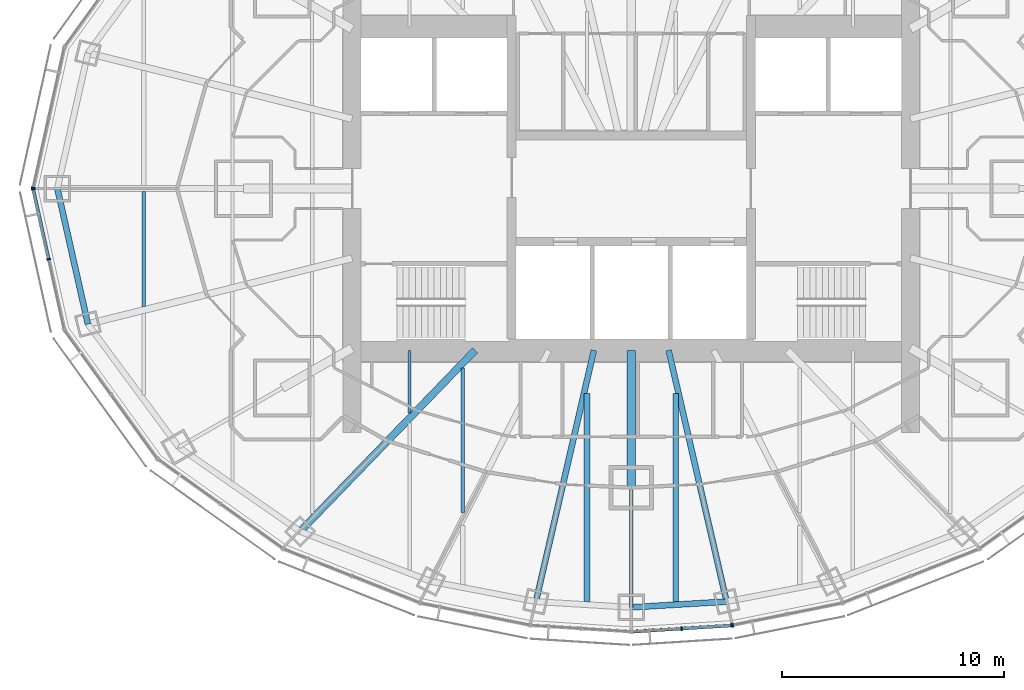
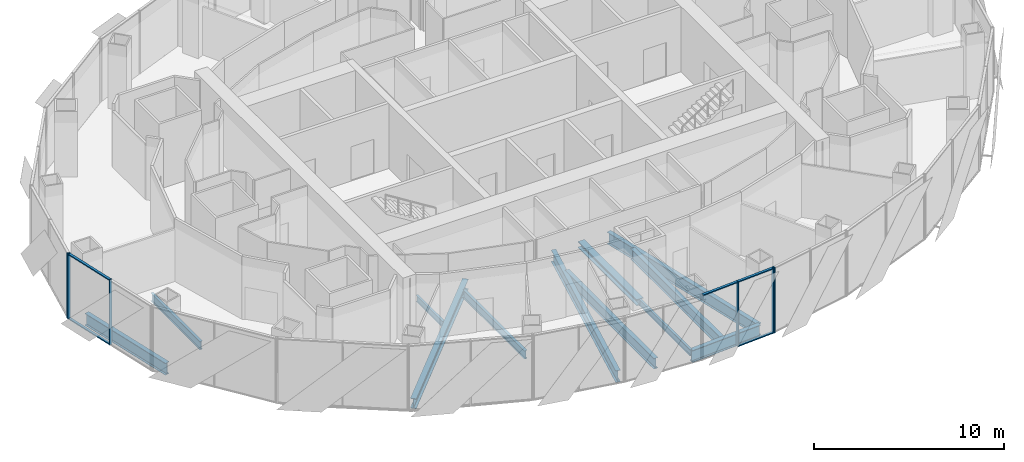
# One storey, part 3 of 18: 12 beams, 11 members, 4 elements without a shape of their own.
"""IFC4 building model written with IfcOpenShell, lengths in metres."""

from ifc_helpers import new_model, si_unit, direction, frame, origin, origin_2d, place, context, subcontext, project, spatial, rectangle, i_section, extrude, material, material_profile, profile_set, type_object, element, aggregate, save


model = new_model("IFC4")

# Units and contexts
model_context = context("Model", 3, precision=1e-05, world=origin(), true_north=direction((0.0, 1.0)))
body_context = subcontext(model_context, "Body", "Model", "MODEL_VIEW")
ifc_project = project(units=[si_unit("LENGTHUNIT", "METRE"), si_unit("AREAUNIT", "SQUARE_METRE"), si_unit("VOLUMEUNIT", "CUBIC_METRE"), si_unit("PLANEANGLEUNIT", "RADIAN"), si_unit("MASSUNIT", "GRAM", prefix="KILO")], contexts=[model_context])

# Site, building, storey
site_placement = place(None, origin())
site = spatial("IfcSite", under=ifc_project, at=site_placement, CompositionType="ELEMENT")
building_placement = place(site_placement, origin())
building = spatial("IfcBuilding", under=site, at=building_placement, Name="Lantaw Convention Tower", CompositionType="ELEMENT")
storey_placement = place(building_placement, frame((0.0, 0.0, 241.0)))
storey = spatial("IfcBuildingStorey", under=building, at=storey_placement, Name="L56", CompositionType="ELEMENT", Elevation=241.0)

# Beams
ifc_material_1 = material(Name="Steel ASTM A992", Category="steel")
ifc_material_profile_1 = material_profile(ifc_material_1, i_section(OverallWidth=0.2666015625, OverallDepth=0.76953125, WebThickness=0.015625, FlangeThickness=0.025390625, FilletRadius=0.0126953125, at=origin_2d()), Name="W30X132")
ifc_profile_set_1 = profile_set([ifc_material_profile_1], Name="Steel ASTM A992")
beam_type_1 = type_object("IfcBeamType", Name="Beam E W30X132", PredefinedType="SPANDREL", material=ifc_profile_set_1)
beam_1_placement = place(storey_placement, frame((-25.89990234375, 0.0, -0.534912109375), z_axis=(0.219857926596, -0.97553190215, 0.0), x_axis=(0.97553190215, 0.219857926596, 0.0)))
element("IfcBeam", 1, at=beam_1_placement, inside=storey, type_object=beam_type_1, Name="Edge beam 13", PredefinedType="SPANDREL", context=body_context, shape_type="SweptSolid", body=[
    extrude(i_section(OverallWidth=0.2666015625, OverallDepth=0.76953125, WebThickness=0.015625, FlangeThickness=0.025390625, FilletRadius=0.0126953125, at=origin_2d()), origin(), (0.0, 0.0, 1.0), 6.267333984375),
])
beam_2_placement = place(storey_placement, frame((0.0, -18.89990234375, -0.534912109375), z_axis=(0.998210730897, 0.059794119452, 0.0), x_axis=(-0.059794119452, 0.998210730897, 0.0)))
element("IfcBeam", 2, at=beam_2_placement, inside=storey, type_object=beam_type_1, Name="Edge beam 19", PredefinedType="SPANDREL", context=body_context, shape_type="SweptSolid", body=[
    extrude(i_section(OverallWidth=0.2666015625, OverallDepth=0.76953125, WebThickness=0.015625, FlangeThickness=0.025390625, FilletRadius=0.0126953125, at=origin_2d()), origin(), (0.0, 0.0, 1.0), 4.311767578125),
])
ifc_material_profile_2 = material_profile(ifc_material_1, i_section(OverallWidth=0.140380859375, OverallDepth=0.40380859375, WebThickness=0.007080078125, FlangeThickness=0.01123046875, FilletRadius=0.01025390625, at=origin_2d()), Name="W16X31")
ifc_profile_set_2 = profile_set([ifc_material_profile_2], Name="Steel ASTM A992")
beam_type_2 = type_object("IfcBeamType", Name="Beam G W16X31", PredefinedType="BEAM", material=ifc_profile_set_2)
beam_3_placement = place(storey_placement, frame((0.0, -13.5, -0.35205078125), z_axis=(0.0, -1.0, 0.0), x_axis=(1.0, 0.0, 0.0)))
element("IfcBeam", 3, at=beam_3_placement, inside=storey, type_object=beam_type_2, Name="Floor girder on ray 19", PredefinedType="BEAM", context=body_context, shape_type="SweptSolid", body=[
    extrude(i_section(OverallWidth=0.140380859375, OverallDepth=0.40380859375, WebThickness=0.007080078125, FlangeThickness=0.01123046875, FilletRadius=0.01025390625, at=origin_2d()), origin(), (0.0, 0.0, 1.0), 5.39990234375),
])
ifc_material_profile_3 = material_profile(ifc_material_1, i_section(OverallWidth=0.32763671875, OverallDepth=0.64013671875, WebThickness=0.01904296875, FlangeThickness=0.033935546875, FilletRadius=0.0126953125, at=origin_2d()), Name="W24X176")
ifc_profile_set_3 = profile_set([ifc_material_profile_3], Name="Steel ASTM A992")
beam_type_3 = type_object("IfcBeamType", Name="Beam G W24X176", PredefinedType="BEAM", material=ifc_profile_set_3)
beam_4_placement = place(storey_placement, frame((-7.049560546875, -7.300048828125, -0.469970703125), z_axis=(-0.694657766726, -0.719340383356, 0.0), x_axis=(0.719340383356, -0.694657766726, 0.0)))
element("IfcBeam", 4, at=beam_4_placement, inside=storey, type_object=beam_type_3, Name="Floor girder on ray 16", PredefinedType="BEAM", context=body_context, shape_type="SweptSolid", body=[
    extrude(i_section(OverallWidth=0.32763671875, OverallDepth=0.64013671875, WebThickness=0.01904296875, FlangeThickness=0.033935546875, FilletRadius=0.0126953125, at=origin_2d()), origin(), (0.0, 0.0, 1.0), 11.364990234375),
])
ifc_material_profile_4 = material_profile(ifc_material_1, i_section(OverallWidth=0.2666015625, OverallDepth=0.7568359375, WebThickness=0.013916015625, FlangeThickness=0.019287109375, FilletRadius=0.0126953125, at=origin_2d()), Name="W30X108")
ifc_profile_set_4 = profile_set([ifc_material_profile_4], Name="Steel ASTM A992")
beam_type_4 = type_object("IfcBeamType", Name="Beam G W30X108", PredefinedType="BEAM", material=ifc_profile_set_4)
for number, where, z_axis, x_axis, name in (
    (5, (-1.685302734375, -7.300048828125, -0.528564453125), (-0.224962134377, -0.974367506692, 0.0), (0.974367506692, -0.224962134377, 0.0), "Floor girder on ray 18"),
    (6, (1.685302734375, -7.300048828125, -0.528564453125), (0.224962134377, -0.974367506692, 0.0), (0.974367506692, 0.224962134377, 0.0), "Floor girder on ray 20"),
):
    element("IfcBeam", number, at=place(storey_placement, frame(where, z_axis=z_axis, x_axis=x_axis)), inside=storey, type_object=beam_type_4, Name=name, PredefinedType="BEAM", context=body_context, shape_type="SweptSolid", body=[
        extrude(i_section(OverallWidth=0.2666015625, OverallDepth=0.7568359375, WebThickness=0.013916015625, FlangeThickness=0.019287109375, FilletRadius=0.0126953125, at=origin_2d()), origin(), (0.0, 0.0, 1.0), 11.640380859375),
    ])
ifc_material_profile_5 = material_profile(ifc_material_1, i_section(OverallWidth=0.40380859375, OverallDepth=0.406494140625, WebThickness=0.027099609375, FlangeThickness=0.043701171875, FilletRadius=0.01513671875, at=origin_2d()), Name="W14X233")
ifc_profile_set_5 = profile_set([ifc_material_profile_5], Name="Steel ASTM A992")
beam_type_5 = type_object("IfcBeamType", Name="Beam GM W14X233", PredefinedType="BEAM", material=ifc_profile_set_5)
beam_5_placement = place(storey_placement, frame((0.0, -7.300048828125, -0.353271484375), z_axis=(0.0, -1.0, 0.0), x_axis=(1.0, 0.0, 0.0)))
element("IfcBeam", 7, at=beam_5_placement, inside=storey, type_object=beam_type_5, Name="Core link beam on ray 19", PredefinedType="BEAM", context=body_context, shape_type="SweptSolid", body=[
    extrude(i_section(OverallWidth=0.40380859375, OverallDepth=0.406494140625, WebThickness=0.027099609375, FlangeThickness=0.043701171875, FilletRadius=0.01513671875, at=origin_2d()), origin(), (0.0, 0.0, 1.0), 6.199951171875),
])
ifc_material_profile_6 = material_profile(ifc_material_1, i_section(OverallWidth=0.140380859375, OverallDepth=0.40380859375, WebThickness=0.007080078125, FlangeThickness=0.01123046875, FilletRadius=0.01025390625, at=origin_2d()), Name="W16X31")
ifc_profile_set_6 = profile_set([ifc_material_profile_6], Name="Steel ASTM A992")
beam_type_6 = type_object("IfcBeamType", Name="Beam J W16X31", PredefinedType="JOIST", material=ifc_profile_set_6)
beam_6_placement = place(storey_placement, frame((-10.0, -10.119384765625, -0.35205078125), z_axis=(0.0, 1.0, 0.0), x_axis=(-1.0, 0.0, 0.0)))
element("IfcBeam", 8, at=beam_6_placement, inside=storey, type_object=beam_type_6, Name="Floor joist", PredefinedType="JOIST", context=body_context, shape_type="SweptSolid", body=[
    extrude(i_section(OverallWidth=0.140380859375, OverallDepth=0.40380859375, WebThickness=0.007080078125, FlangeThickness=0.01123046875, FilletRadius=0.01025390625, at=origin_2d()), origin(), (0.0, 0.0, 1.0), 2.8193359375),
])
ifc_material_profile_7 = material_profile(ifc_material_1, i_section(OverallWidth=0.1650390625, OverallDepth=0.52587890625, WebThickness=0.0087890625, FlangeThickness=0.011474609375, FilletRadius=0.0126953125, at=origin_2d()), Name="W21X44")
ifc_profile_set_7 = profile_set([ifc_material_profile_7], Name="Steel ASTM A992")
beam_type_7 = type_object("IfcBeamType", Name="Beam J W21X44", PredefinedType="JOIST", material=ifc_profile_set_7)
beam_7_placement = place(storey_placement, frame((-22.0, -5.326904296875, -0.412841796875), z_axis=(0.0, 1.0, 0.0), x_axis=(-1.0, 0.0, 0.0)))
element("IfcBeam", 9, at=beam_7_placement, inside=storey, type_object=beam_type_7, Name="Floor joist", PredefinedType="JOIST", context=body_context, shape_type="SweptSolid", body=[
    extrude(i_section(OverallWidth=0.1650390625, OverallDepth=0.52587890625, WebThickness=0.0087890625, FlangeThickness=0.011474609375, FilletRadius=0.0126953125, at=origin_2d()), origin(), (0.0, 0.0, 1.0), 5.199951171875),
])
beam_8_placement = place(storey_placement, frame((-7.60009765625, -14.6220703125, -0.412841796875), z_axis=(0.0, 1.0, 0.0), x_axis=(-1.0, 0.0, 0.0)))
element("IfcBeam", 10, at=beam_8_placement, inside=storey, type_object=beam_type_7, Name="Floor joist", PredefinedType="JOIST", context=body_context, shape_type="SweptSolid", body=[
    extrude(i_section(OverallWidth=0.1650390625, OverallDepth=0.52587890625, WebThickness=0.0087890625, FlangeThickness=0.011474609375, FilletRadius=0.0126953125, at=origin_2d()), origin(), (0.0, 0.0, 1.0), 6.51611328125),
])
ifc_material_profile_8 = material_profile(ifc_material_1, i_section(OverallWidth=0.25390625, OverallDepth=0.683349609375, WebThickness=0.012451171875, FlangeThickness=0.01904296875, FilletRadius=0.01513671875, at=origin_2d()), Name="W27X94")
ifc_profile_set_8 = profile_set([ifc_material_profile_8], Name="Steel ASTM A992")
beam_type_8 = type_object("IfcBeamType", Name="Beam J W27X94", PredefinedType="JOIST", material=ifc_profile_set_8)
for number, where, z_axis, x_axis, name in (
    (11, (-2.0, -18.646484375, -0.49169921875), (0.0, 1.0, 0.0), (-1.0, 0.0, 0.0), "Floor joist"),
    (12, (2.0, -18.646484375, -0.49169921875), (0.0, 1.0, 0.0), (-1.0, 0.0, 0.0), "Floor joist"),
):
    element("IfcBeam", number, at=place(storey_placement, frame(where, z_axis=z_axis, x_axis=x_axis)), inside=storey, type_object=beam_type_8, Name=name, PredefinedType="JOIST", context=body_context, shape_type="SweptSolid", body=[
        extrude(i_section(OverallWidth=0.25390625, OverallDepth=0.683349609375, WebThickness=0.012451171875, FlangeThickness=0.01904296875, FilletRadius=0.01513671875, at=origin_2d()), origin(), (0.0, 0.0, 1.0), 9.390625),
    ])

# Curtain wall, member
ifc_material_2 = material(Name="Aluminium framed curtain wall", Category="aluminium")
curtain_wall_type = type_object("IfcCurtainWallType", Name="Office curtain wall high rise, pale aluminium", PredefinedType="USERDEFINED", material=ifc_material_2)
curtain_wall_1_placement = place(storey_placement, origin())
curtain_wall_1 = element("IfcCurtainWall", 13, at=curtain_wall_1_placement, inside=storey, type_object=curtain_wall_type, Name="Office curtain wall high rise, pale aluminium L56", ObjectType="UNITISED CURTAIN WALL", PredefinedType="USERDEFINED")
ifc_material_3 = material(Name="Aluminium 6063-T6", Category="aluminium")
ifc_material_profile_9 = material_profile(ifc_material_3, rectangle(XDim=0.179931640625, YDim=0.06494140625, at=origin_2d()), Name="CW-O2 mullion 65x180")
ifc_profile_set_9 = profile_set([ifc_material_profile_9], Name="Aluminium 6063-T6")
member_type_1 = type_object("IfcMemberType", Name="CW-O2 mullion 65x180", PredefinedType="MULLION", material=ifc_profile_set_9)
member_1_placement = place(storey_placement, frame((-26.992919921875, 0.03173828125, -0.14990234375), z_axis=(0.0, 0.0, 1.0), x_axis=(0.976417396437, -0.215891333626, 0.0)))
member_1 = element("IfcMember", 14, at=member_1_placement, type_object=member_type_1, Name="CW-O2 mullion 3", PredefinedType="MULLION", context=body_context, shape_type="SweptSolid", body=[
    extrude(rectangle(XDim=0.179931640625, YDim=0.06494140625, at=origin_2d()), origin(), (0.0, 0.0, 1.0), 4.199951171875),
])
aggregate(curtain_wall_1, [member_1])

# Curtain wall, members
curtain_wall_2_placement = place(storey_placement, origin())
curtain_wall_2 = element("IfcCurtainWall", 15, at=curtain_wall_2_placement, inside=storey, type_object=curtain_wall_type, Name="Office curtain wall high rise, pale aluminium L56", ObjectType="UNITISED CURTAIN WALL", PredefinedType="USERDEFINED")
member_2_placement = place(storey_placement, frame((-26.992919921875, -0.03173828125, -0.14990234375), z_axis=(0.0, 0.0, 1.0), x_axis=(0.976417396437, 0.215891333626, 0.0)))
member_2 = element("IfcMember", 16, at=member_2_placement, type_object=member_type_1, Name="CW-O2 mullion 1", PredefinedType="MULLION", context=body_context, shape_type="SweptSolid", body=[
    extrude(rectangle(XDim=0.179931640625, YDim=0.06494140625, at=origin_2d()), origin(), (0.0, 0.0, 1.0), 4.199951171875),
])
member_3_placement = place(storey_placement, frame((-26.294677734375, -3.190185546875, -0.14990234375), z_axis=(0.0, 0.0, 1.0), x_axis=(0.976417396437, 0.215891333626, 0.0)))
member_3 = element("IfcMember", 17, at=member_3_placement, type_object=member_type_1, Name="CW-O2 mullion 2", PredefinedType="MULLION", context=body_context, shape_type="SweptSolid", body=[
    extrude(rectangle(XDim=0.179931640625, YDim=0.06494140625, at=origin_2d()), origin(), (0.0, 0.0, 1.0), 4.199951171875),
])

curtain_wall_3_placement = place(storey_placement, origin())
curtain_wall_3 = element("IfcCurtainWall", 18, at=curtain_wall_3_placement, inside=storey, type_object=curtain_wall_type, Name="Office curtain wall high rise, pale aluminium L56", ObjectType="UNITISED CURTAIN WALL", PredefinedType="USERDEFINED")
member_4_placement = place(storey_placement, frame((2.275634765625, -19.85693359375, -0.14990234375), z_axis=(0.0, 0.0, 1.0), x_axis=(-0.062757983884, 0.998028774865, 0.0)))
member_4 = element("IfcMember", 19, at=member_4_placement, type_object=member_type_1, Name="CW-O2 mullion 2", PredefinedType="MULLION", context=body_context, shape_type="SweptSolid", body=[
    extrude(rectangle(XDim=0.179931640625, YDim=0.06494140625, at=origin_2d()), origin(), (0.0, 0.0, 1.0), 4.199951171875),
])
member_5_placement = place(storey_placement, frame((4.518798828125, -19.7158203125, -0.14990234375), z_axis=(0.0, 0.0, 1.0), x_axis=(-0.062757983884, 0.998028774865, 0.0)))
member_5 = element("IfcMember", 20, at=member_5_placement, type_object=member_type_1, Name="CW-O2 mullion 3", PredefinedType="MULLION", context=body_context, shape_type="SweptSolid", body=[
    extrude(rectangle(XDim=0.179931640625, YDim=0.06494140625, at=origin_2d()), origin(), (0.0, 0.0, 1.0), 4.199951171875),
])

# Curtain wall, member
curtain_wall_4_placement = place(storey_placement, origin())
curtain_wall_4 = element("IfcCurtainWall", 21, at=curtain_wall_4_placement, inside=storey, type_object=curtain_wall_type, Name="Office curtain wall high rise, pale aluminium L56", ObjectType="UNITISED CURTAIN WALL", PredefinedType="USERDEFINED")
member_6_placement = place(storey_placement, frame((4.583251953125, -19.70751953125, -0.14990234375), z_axis=(0.0, 0.0, 1.0), x_axis=(-0.197183095987, 0.980366679695, 0.0)))
member_6 = element("IfcMember", 22, at=member_6_placement, type_object=member_type_1, Name="CW-O2 mullion 1", PredefinedType="MULLION", context=body_context, shape_type="SweptSolid", body=[
    extrude(rectangle(XDim=0.179931640625, YDim=0.06494140625, at=origin_2d()), origin(), (0.0, 0.0, 1.0), 4.199951171875),
])
aggregate(curtain_wall_4, [member_6])

# Member
ifc_material_profile_10 = material_profile(ifc_material_3, rectangle(XDim=0.14990234375, YDim=0.06494140625, at=origin_2d()), Name="CW-O2 transom 65x150")
ifc_profile_set_10 = profile_set([ifc_material_profile_10], Name="Aluminium 6063-T6")
member_type_2 = type_object("IfcMemberType", Name="CW-O2 transom 65x150", PredefinedType="USERDEFINED", material=ifc_profile_set_10)
member_7_placement = place(storey_placement, frame((-26.986083984375, -0.0634765625, -0.117431640625), z_axis=(0.215894607042, -0.976416672661, 0.0), x_axis=(0.976416672661, 0.215894607042, 0.0)))
member_7 = element("IfcMember", 23, at=member_7_placement, type_object=member_type_2, Name="CW-O2 transom 1.1", ObjectType="TRANSOM", PredefinedType="USERDEFINED", context=body_context, shape_type="SweptSolid", body=[
    extrude(rectangle(XDim=0.14990234375, YDim=0.06494140625, at=origin_2d()), origin(), (0.0, 0.0, 1.0), 3.169677734375),
])

member_8_placement = place(storey_placement, frame((-26.986083984375, -0.0634765625, 4.017578125), z_axis=(0.215894607042, -0.976416672661, 0.0), x_axis=(0.976416672661, 0.215894607042, 0.0)))
member_8 = element("IfcMember", 24, at=member_8_placement, type_object=member_type_2, Name="CW-O2 transom 1.2", ObjectType="TRANSOM", PredefinedType="USERDEFINED", context=body_context, shape_type="SweptSolid", body=[
    extrude(rectangle(XDim=0.14990234375, YDim=0.06494140625, at=origin_2d()), origin(), (0.0, 0.0, 1.0), 3.169677734375),
])

aggregate(curtain_wall_2, [member_2, member_3, member_7, member_8])

member_9_placement = place(storey_placement, frame((0.06494140625, -19.995849609375, 4.017578125), z_axis=(0.998029003644, 0.062754345555, 0.0), x_axis=(-0.062754345555, 0.998029003644, 0.0)))
member_9 = element("IfcMember", 25, at=member_9_placement, type_object=member_type_2, Name="CW-O2 transom 1.2", ObjectType="TRANSOM", PredefinedType="USERDEFINED", context=body_context, shape_type="SweptSolid", body=[
    extrude(rectangle(XDim=0.14990234375, YDim=0.06494140625, at=origin_2d()), origin(), (0.0, 0.0, 1.0), 2.1826171875),
])

member_10_placement = place(storey_placement, frame((2.30810546875, -19.85498046875, -0.117431640625), z_axis=(0.998021991509, 0.062865765437, 0.0), x_axis=(-0.062865765437, 0.998021991509, 0.0)))
member_10 = element("IfcMember", 26, at=member_10_placement, type_object=member_type_2, Name="CW-O2 transom 2.1", ObjectType="TRANSOM", PredefinedType="USERDEFINED", context=body_context, shape_type="SweptSolid", body=[
    extrude(rectangle(XDim=0.14990234375, YDim=0.06494140625, at=origin_2d()), origin(), (0.0, 0.0, 1.0), 2.1826171875),
])

member_11_placement = place(storey_placement, frame((2.30810546875, -19.85498046875, 4.017578125), z_axis=(0.998021991509, 0.062865765437, 0.0), x_axis=(-0.062865765437, 0.998021991509, 0.0)))
member_11 = element("IfcMember", 27, at=member_11_placement, type_object=member_type_2, Name="CW-O2 transom 2.2", ObjectType="TRANSOM", PredefinedType="USERDEFINED", context=body_context, shape_type="SweptSolid", body=[
    extrude(rectangle(XDim=0.14990234375, YDim=0.06494140625, at=origin_2d()), origin(), (0.0, 0.0, 1.0), 2.1826171875),
])

aggregate(curtain_wall_3, [member_4, member_5, member_9, member_10, member_11])

save(model, "model.ifc")
